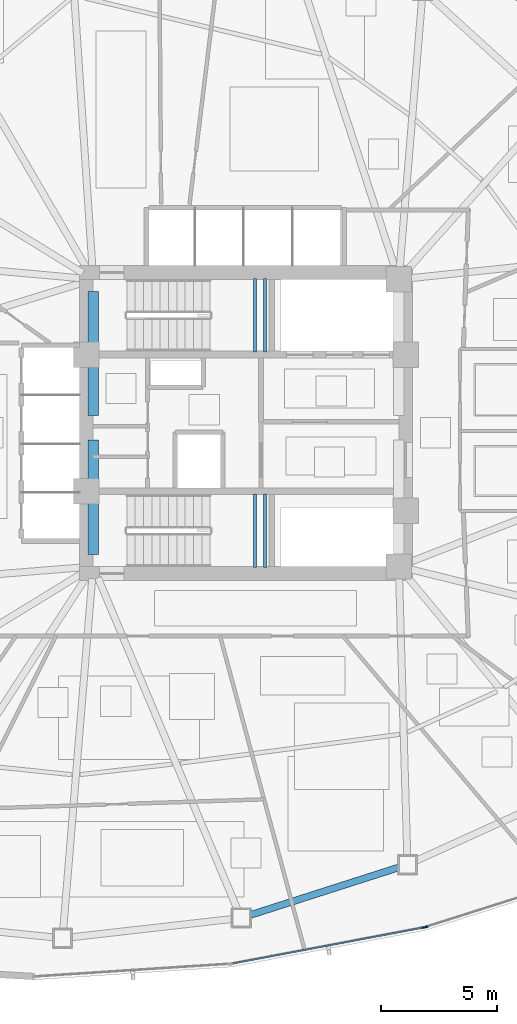
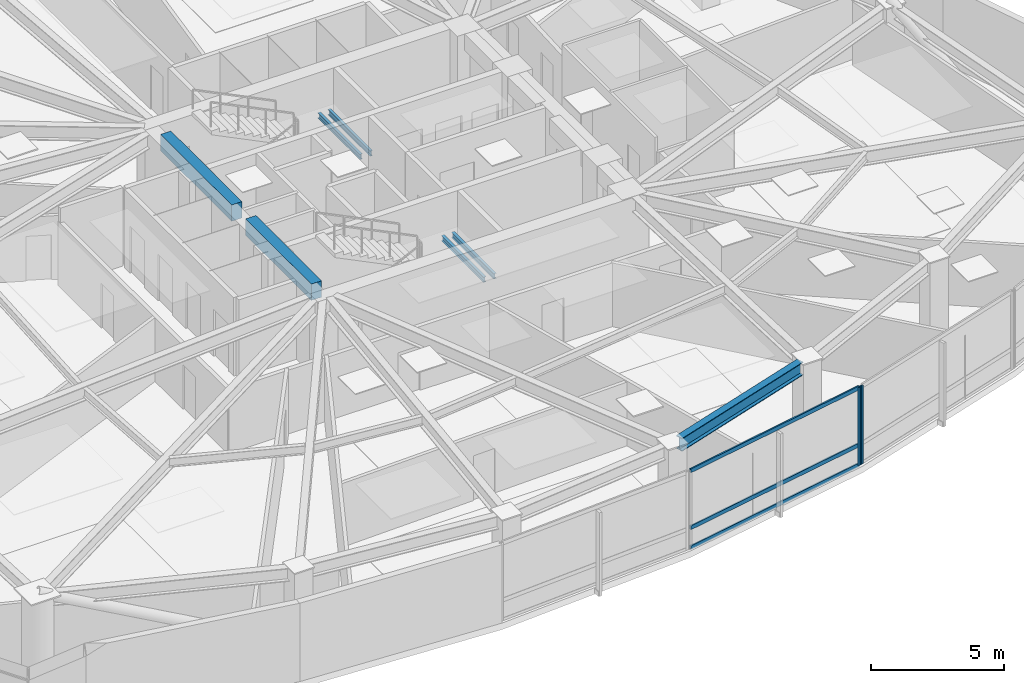
# One storey, part 5 of 18: 7 beams, 5 members, 2 elements without a shape of their own.
"""IFC4 building model written with IfcOpenShell, lengths in metres."""

from ifc_helpers import new_model, si_unit, direction, frame, origin, origin_2d, place, context, subcontext, project, spatial, rectangle, hollow_rectangle, i_section, extrude, source, transform, mapped, material, layer, layer_set, material_profile, profile_set, type_object, type_shapes, element, aggregate, save


model = new_model("IFC4")

# Units and contexts
model_context = context("Model", 3, precision=1e-05, world=origin(), true_north=direction((0.0, 1.0)))
body_context = subcontext(model_context, "Body", "Model", "MODEL_VIEW")
ifc_project = project(units=[si_unit("LENGTHUNIT", "METRE"), si_unit("AREAUNIT", "SQUARE_METRE"), si_unit("VOLUMEUNIT", "CUBIC_METRE"), si_unit("PLANEANGLEUNIT", "RADIAN"), si_unit("MASSUNIT", "GRAM", prefix="KILO")], contexts=[model_context])

# Site, building, storey
site_placement = place(None, origin())
site = spatial("IfcSite", under=ifc_project, at=site_placement, CompositionType="ELEMENT")
building_placement = place(site_placement, origin())
building = spatial("IfcBuilding", under=site, at=building_placement, Name="Tavelor Broadcast Tower", CompositionType="ELEMENT")
storey_placement = place(building_placement, frame((0.0, 0.0, 54.89990234375)))
storey = spatial("IfcBuildingStorey", under=building, at=storey_placement, Name="L12", CompositionType="ELEMENT", Elevation=54.89990234375)

# Beams
ifc_material_1 = material(Name="Concrete C40/50", Category="concrete")
ifc_material_profile_1 = material_profile(ifc_material_1, rectangle(XDim=0.449951171875, YDim=0.75, at=origin_2d()), Name="RC 450x750")
ifc_profile_set_1 = profile_set([ifc_material_profile_1], Name="Concrete C40/50")
beam_type_1 = type_object("IfcBeamType", Name="Basement Core Trim Beam 450x750", PredefinedType="BEAM", material=ifc_profile_set_1)
beam_1_placement = place(storey_placement, frame((43.39990234375, 45.327880859375, 3.22509765625), z_axis=(0.0, 1.0, 0.0), x_axis=(-1.0, 0.0, 0.0)))
element("IfcBeam", 1, at=beam_1_placement, inside=storey, type_object=beam_type_1, Name="L12 Core West-N Tie Girder", PredefinedType="BEAM", context=body_context, shape_type="SweptSolid", body=[
    extrude(rectangle(XDim=0.449951171875, YDim=0.75, at=origin_2d()), origin(), (0.0, 0.0, 1.0), 5.34423828125),
])
beam_2_placement = place(storey_placement, frame((43.39990234375, 39.327880859375, 3.22509765625), z_axis=(0.0, 1.0, 0.0), x_axis=(-1.0, 0.0, 0.0)))
element("IfcBeam", 2, at=beam_2_placement, inside=storey, type_object=beam_type_1, Name="L12 Core West-S Tie Girder", PredefinedType="BEAM", context=body_context, shape_type="SweptSolid", body=[
    extrude(rectangle(XDim=0.449951171875, YDim=0.75, at=origin_2d()), origin(), (0.0, 0.0, 1.0), 4.944091796875),
])
ifc_material_2 = material(Name="Steel S355", Category="steel")
ifc_material_profile_2 = material_profile(ifc_material_2, i_section(OverallWidth=0.300048828125, OverallDepth=0.60009765625, WebThickness=0.015380859375, FlangeThickness=0.030029296875, at=origin_2d()), Name="HEB 600")
ifc_profile_set_2 = profile_set([ifc_material_profile_2], Name="Steel S355")
beam_type_2 = type_object("IfcBeamType", Name="Perimeter Spandrel Beam T1 HEB 600", PredefinedType="SPANDREL", material=ifc_profile_set_2)
beam_3_placement = place(storey_placement, frame((50.15234375, 23.735107421875, 3.300048828125), z_axis=(0.952305764648, 0.305145425362, 0.0), x_axis=(-0.305145425362, 0.952305764648, 0.0)))
element("IfcBeam", 3, at=beam_3_placement, inside=storey, type_object=beam_type_2, Name="L12 Framed-Tube Ring Spandrel 10", PredefinedType="SPANDREL", context=body_context, shape_type="SweptSolid", body=[
    extrude(i_section(OverallWidth=0.300048828125, OverallDepth=0.60009765625, WebThickness=0.015380859375, FlangeThickness=0.030029296875, at=origin_2d()), origin(), (0.0, 0.0, 1.0), 6.78076171875),
])
ifc_material_profile_3 = material_profile(ifc_material_2, i_section(OverallWidth=0.1201171875, OverallDepth=0.239990234375, WebThickness=0.006103515625, FlangeThickness=0.009765625, at=origin_2d()), Name="IPE 240")
ifc_profile_set_3 = profile_set([ifc_material_profile_3], Name="Steel S355")
beam_type_3 = type_object("IfcBeamType", Name="Stairwell Landing Support Trimmer Beam IPE240", PredefinedType="BEAM", material=ifc_profile_set_3)
for number, where, z_axis, x_axis, name in (
    (4, (50.385009765625, 48.06005859375, 1.635009765625), (0.0, 1.0, 0.0), (-1.0, 0.0, 0.0), "L12 Stair Landing Support Beam 49"),
    (5, (50.824951171875, 48.06005859375, 1.635009765625), (0.0, 1.0, 0.0), (-1.0, 0.0, 0.0), "L12 Stair Landing Support Beam 50"),
    (6, (50.385009765625, 38.760009765625, 1.635009765625), (0.0, 1.0, 0.0), (-1.0, 0.0, 0.0), "L12 Stair Landing Support Beam 263"),
    (7, (50.824951171875, 38.760009765625, 1.635009765625), (0.0, 1.0, 0.0), (-1.0, 0.0, 0.0), "L12 Stair Landing Support Beam 264"),
):
    element("IfcBeam", number, at=place(storey_placement, frame(where, z_axis=z_axis, x_axis=x_axis)), inside=storey, type_object=beam_type_3, Name=name, PredefinedType="BEAM", context=body_context, shape_type="SweptSolid", body=[
        extrude(i_section(OverallWidth=0.1201171875, OverallDepth=0.239990234375, WebThickness=0.006103515625, FlangeThickness=0.009765625, at=origin_2d()), origin(), (0.0, 0.0, 1.0), 3.179931640625),
    ])

# Curtain wall, member
ifc_material_3 = material(Name="Architectural Anodized Aluminium", Category="aluminium")
ifc_layer = layer(ifc_material_3, 0.179931640625)
ifc_layer_set = layer_set([ifc_layer], Name="Architectural Anodized Aluminium")
curtain_wall_type = type_object("IfcCurtainWallType", Name="Tower Low-Zone Unitised Curtain Wall CW02", PredefinedType="NOTDEFINED", material=ifc_layer_set)
curtain_wall_1_placement = place(storey_placement, origin())
curtain_wall_1 = element("IfcCurtainWall", 8, at=curtain_wall_1_placement, inside=storey, type_object=curtain_wall_type, Name="L12 Curtain Wall CW02 Run 102", PredefinedType="NOTDEFINED")
ifc_material_profile_4 = material_profile(ifc_material_3, hollow_rectangle(XDim=0.06494140625, YDim=0.179931640625, WallThickness=0.02197265625, at=origin_2d()), Name="RHS 65x180x22")
ifc_profile_set_4 = profile_set([ifc_material_profile_4], Name="Architectural Anodized Aluminium")
member_type_1 = type_object("IfcMemberType", Name="CW02 Extruded Aluminium Mullion 65x180", PredefinedType="MULLION", material=ifc_profile_set_4)
shared_shape_1 = source(origin(), body_context, "Body", "SweptSolid", [
    extrude(hollow_rectangle(XDim=0.06494140625, YDim=0.179931640625, WallThickness=0.02197265625, at=origin_2d()), origin(), (0.0, 0.0, 1.0), 3.60009765625),
])
type_shapes(member_type_1, [shared_shape_1])
member_1_placement = place(storey_placement, frame((57.673828125, 23.20654296875, 0.0), z_axis=(0.0, 0.0, 1.0), x_axis=(-0.185236106957, 0.982694044288, 0.0)))
member_1 = element("IfcMember", 9, at=member_1_placement, type_object=member_type_1, Name="CW02 mullion 2", PredefinedType="MULLION", context=body_context, shape_type="MappedRepresentation", body=[
    mapped(shared_shape_1, transform((0.0, 0.0, 0.0), scale=1.0)),
])

curtain_wall_2_placement = place(storey_placement, origin())
curtain_wall_2 = element("IfcCurtainWall", 10, at=curtain_wall_2_placement, inside=storey, type_object=curtain_wall_type, Name="L12 Curtain Wall CW02 Run 103", PredefinedType="NOTDEFINED")
member_2_placement = place(storey_placement, frame((57.765625, 23.229736328125, 0.0), z_axis=(0.0, 0.0, 1.0), x_axis=(-0.302801884231, 0.953053523631, 0.0)))
member_2 = element("IfcMember", 11, at=member_2_placement, type_object=member_type_1, Name="CW02 mullion 1", PredefinedType="MULLION", context=body_context, shape_type="MappedRepresentation", body=[
    mapped(shared_shape_1, transform((0.0, 0.0, 0.0), scale=1.0)),
])
aggregate(curtain_wall_2, [member_2])

# Member
ifc_material_profile_5 = material_profile(ifc_material_3, hollow_rectangle(XDim=0.06494140625, YDim=0.179931640625, WallThickness=0.02197265625, at=origin_2d()), Name="RHS 65x180x22")
ifc_profile_set_5 = profile_set([ifc_material_profile_5], Name="Architectural Anodized Aluminium")
member_type_2 = type_object("IfcMemberType", Name="CW02 Extruded Aluminium Transom 65x180", PredefinedType="USERDEFINED", material=ifc_profile_set_5)
shared_shape_2 = source(origin(), body_context, "Body", "SweptSolid", [
    extrude(hollow_rectangle(XDim=0.06494140625, YDim=0.179931640625, WallThickness=0.02197265625, at=origin_2d()), origin(), (0.0, 0.0, 1.0), 8.3564453125),
])
type_shapes(member_type_2, [shared_shape_2])
member_3_placement = place(storey_placement, frame((49.429931640625, 21.652587890625, 0.03271484375), z_axis=(0.982695783878, 0.185226878041, 0.0), x_axis=(-0.185226878041, 0.982695783878, 0.0)))
member_3 = element("IfcMember", 12, at=member_3_placement, type_object=member_type_2, Name="CW02 transom 1.1", ObjectType="TRANSOM", PredefinedType="USERDEFINED", context=body_context, shape_type="MappedRepresentation", body=[
    mapped(shared_shape_2, transform((0.0, 0.0, 0.0), scale=1.0)),
])

member_4_placement = place(storey_placement, frame((49.429931640625, 21.652587890625, 0.9501953125), z_axis=(0.982695783878, 0.185226878041, 0.0), x_axis=(-0.185226878041, 0.982695783878, 0.0)))
member_4 = element("IfcMember", 13, at=member_4_placement, type_object=member_type_2, Name="CW02 transom 1.2", ObjectType="TRANSOM", PredefinedType="USERDEFINED", context=body_context, shape_type="MappedRepresentation", body=[
    mapped(shared_shape_2, transform((0.0, 0.0, 0.0), scale=1.0)),
])

member_5_placement = place(storey_placement, frame((49.429931640625, 21.652587890625, 3.567626953125), z_axis=(0.982695783878, 0.185226878041, 0.0), x_axis=(-0.185226878041, 0.982695783878, 0.0)))
member_5 = element("IfcMember", 14, at=member_5_placement, type_object=member_type_2, Name="CW02 transom 1.3", ObjectType="TRANSOM", PredefinedType="USERDEFINED", context=body_context, shape_type="MappedRepresentation", body=[
    mapped(shared_shape_2, transform((0.0, 0.0, 0.0), scale=1.0)),
])

aggregate(curtain_wall_1, [member_1, member_3, member_4, member_5])

save(model, "model.ifc")
